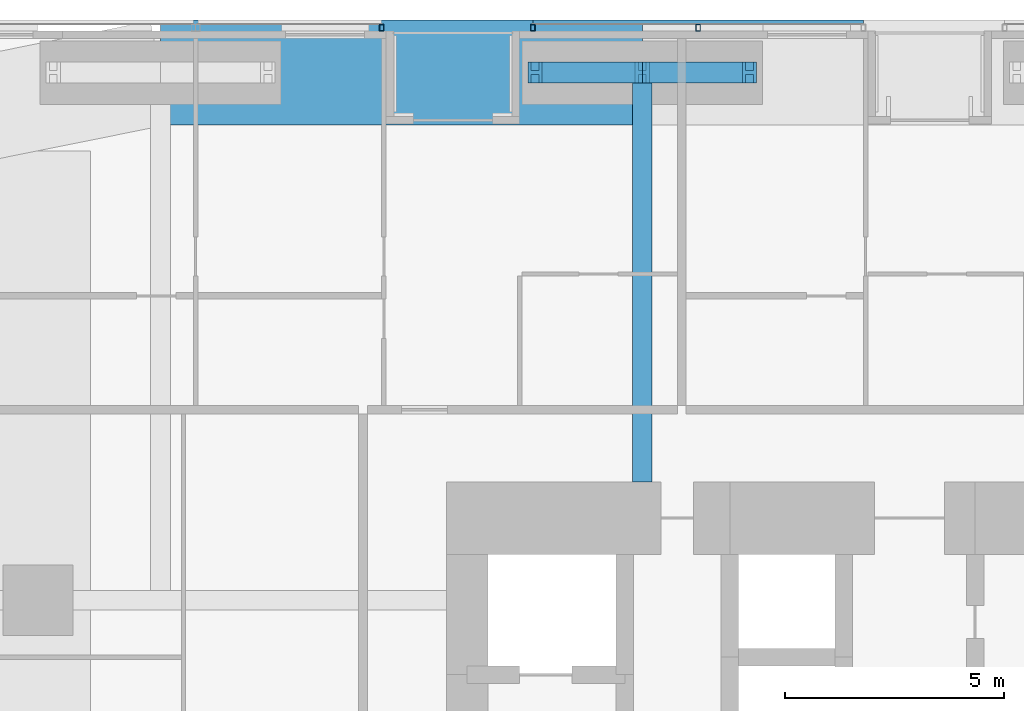
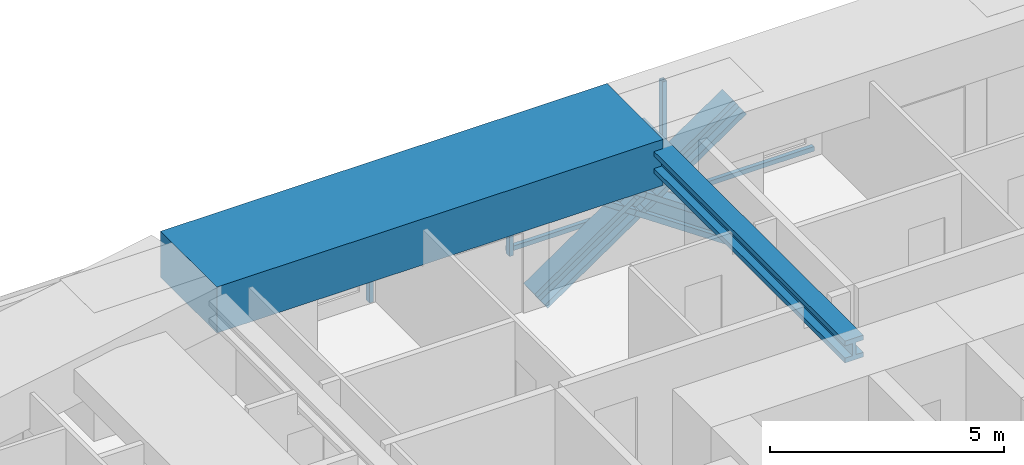
# One storey, part 11 of 22: 8 members, 2 beams, 2 elements without a shape of their own.
"""IFC4 building model written with IfcOpenShell, lengths in metres."""

from ifc_helpers import new_model, si_unit, direction, frame, origin, origin_2d, place, context, subcontext, project, spatial, rectangle, hollow_rectangle, i_section, extrude, material, material_profile, profile_set, type_object, element, aggregate, save


model = new_model("IFC4")

# Units and contexts
model_context = context("Model", 3, precision=1e-05, world=origin(), true_north=direction((0.0, 1.0)))
body_context = subcontext(model_context, "Body", "Model", "MODEL_VIEW")
ifc_project = project(units=[si_unit("LENGTHUNIT", "METRE"), si_unit("AREAUNIT", "SQUARE_METRE"), si_unit("VOLUMEUNIT", "CUBIC_METRE"), si_unit("PLANEANGLEUNIT", "RADIAN"), si_unit("MASSUNIT", "GRAM", prefix="KILO")], contexts=[model_context])

# Site, building, storey
site_placement = place(None, origin())
site = spatial("IfcSite", under=ifc_project, at=site_placement, CompositionType="ELEMENT")
building_placement = place(site_placement, origin())
building = spatial("IfcBuilding", under=site, at=building_placement, Name="Jalousie Tower", CompositionType="ELEMENT")
storey_placement = place(building_placement, frame((0.0, 0.0, 67.89990234375)))
storey = spatial("IfcBuildingStorey", under=building, at=storey_placement, Name="L18", CompositionType="ELEMENT", Elevation=67.89990234375)

# Beam
ifc_material_1 = material(Name="Steel ASTM A992 Grade 50", Category="steel")
ifc_material_profile_1 = material_profile(ifc_material_1, i_section(OverallWidth=0.45458984375, OverallDepth=0.569091796875, WebThickness=0.077880859375, FlangeThickness=0.124755859375, at=origin_2d()), Name="W14X730")
ifc_profile_set_1 = profile_set([ifc_material_profile_1], Name="Steel ASTM A992 Grade 50")
beam_type_1 = type_object("IfcBeamType", Name="LEAN COLLECTOR W14X730", PredefinedType="BEAM", material=ifc_profile_set_1)
beam_1_placement = place(storey_placement, frame((24.0, 37.050048828125, 2.82568359375), z_axis=(0.0, -1.0, 0.0), x_axis=(1.0, 0.0, 0.0)))
element("IfcBeam", 1, at=beam_1_placement, inside=storey, type_object=beam_type_1, Name="Lean collector under L19", PredefinedType="BEAM", context=body_context, shape_type="SweptSolid", body=[
    extrude(i_section(OverallWidth=0.45458984375, OverallDepth=0.569091796875, WebThickness=0.077880859375, FlangeThickness=0.124755859375, at=origin_2d()), origin(), (0.0, 0.0, 1.0), 9.35009765625),
])

# Members
ifc_material_2 = material(Name="Steel ASTM A992 Grade 50", Category="steel")
ifc_material_profile_2 = material_profile(ifc_material_2, i_section(OverallWidth=0.472412109375, OverallDepth=0.5791015625, WebThickness=0.094970703125, FlangeThickness=0.1298828125, at=origin_2d()), Name="W14X808")
ifc_profile_set_2 = profile_set([ifc_material_profile_2], Name="Steel ASTM A992 Grade 50")
member_type_1 = type_object("IfcMemberType", Name="PERIMETER BRACE W14X808", PredefinedType="BRACE", material=ifc_profile_set_2)
for number, where, z_axis, x_axis, name in (
    (2, (21.550048828125, 37.050048828125, -0.599853515625), (0.825500916831, 0.0, 0.564400776321), (0.0, 1.0, 0.0), "Perimeter brace 10 L18 part 1"),
    (3, (24.0, 37.050048828125, 1.0751953125), (0.825539243753, 0.0, 0.564344714713), (0.0, 1.0, 0.0), "Perimeter brace 10 L18 part 2"),
    (4, (26.449951171875, 37.050048828125, -0.599853515625), (-0.825500916831, 0.0, 0.564400776321), (0.0, -1.0, 0.0), "Perimeter brace 10 L18 part 3"),
    (5, (24.0, 37.050048828125, 1.0751953125), (-0.825539243753, 0.0, 0.564344714713), (0.0, -1.0, 0.0), "Perimeter brace 10 L18 part 4"),
):
    element("IfcMember", number, at=place(storey_placement, frame(where, z_axis=z_axis, x_axis=x_axis)), inside=storey, type_object=member_type_1, Name=name, PredefinedType="BRACE", context=body_context, shape_type="SweptSolid", body=[
        extrude(i_section(OverallWidth=0.472412109375, OverallDepth=0.5791015625, WebThickness=0.094970703125, FlangeThickness=0.1298828125, at=origin_2d()), origin(), (0.0, 0.0, 1.0), 2.9677734375),
    ])

# Beam
ifc_material_3 = material(Name="Concrete f'c 40 MPa", Category="concrete")
ifc_material_profile_3 = material_profile(ifc_material_3, rectangle(XDim=2.39990234375, YDim=1.199951171875, at=origin_2d()), Name="RC 2400x1200")
ifc_profile_set_3 = profile_set([ifc_material_profile_3], Name="Concrete f'c 40 MPa")
beam_type_2 = type_object("IfcBeamType", Name="RC BEAM 2400x1200", PredefinedType="BEAM", material=ifc_profile_set_3)
beam_2_placement = place(storey_placement, frame((24.0, 37.050048828125, 2.75), z_axis=(-1.0, 0.0, 0.0), x_axis=(0.0, -1.0, 0.0)))
element("IfcBeam", 6, at=beam_2_placement, inside=storey, type_object=beam_type_2, Name="Edge band beam 10-11 under L19", PredefinedType="BEAM", context=body_context, shape_type="SweptSolid", body=[
    extrude(rectangle(XDim=2.39990234375, YDim=1.199951171875, at=origin_2d()), origin(), (0.0, 0.0, 1.0), 11.0),
])

# Curtain wall, members
ifc_material_4 = material(Name="Perforated aluminium sheet", Category="aluminium")
curtain_wall_type = type_object("IfcCurtainWallType", Name="SOLAR SCREEN SS-1", PredefinedType="USERDEFINED", material=ifc_material_4)
curtain_wall_1_placement = place(storey_placement, origin())
curtain_wall_1 = element("IfcCurtainWall", 7, at=curtain_wall_1_placement, inside=storey, type_object=curtain_wall_type, Name="Solar screen L18", ObjectType="SOLAR SCREEN SS-1", PredefinedType="USERDEFINED")
ifc_material_5 = material(Name="Steel ASTM A500 Grade C", Category="steel")
ifc_material_profile_4 = material_profile(ifc_material_5, hollow_rectangle(XDim=0.1015625, YDim=0.15234375, WallThickness=0.00634765625, at=origin_2d()), Name="HSS6X4X1/4")
ifc_profile_set_4 = profile_set([ifc_material_profile_4], Name="Steel ASTM A500 Grade C")
member_type_2 = type_object("IfcMemberType", Name="SOLAR SCREEN SS-1 MULLION", PredefinedType="MULLION", material=ifc_profile_set_4)
member_1_placement = place(storey_placement, frame((25.27490234375, 38.0712890625, -0.119873046875), z_axis=(0.0, 0.0, 1.0), x_axis=(-1.0, 0.0, 0.0)))
member_1 = element("IfcMember", 8, at=member_1_placement, type_object=member_type_2, Name="SS1 post 2", PredefinedType="MULLION", context=body_context, shape_type="SweptSolid", body=[
    extrude(hollow_rectangle(XDim=0.1015625, YDim=0.15234375, WallThickness=0.00634765625, at=origin_2d()), origin(), (0.0, 0.0, 1.0), 3.22998046875),
])
member_2_placement = place(storey_placement, frame((21.5, 38.0712890625, -0.119873046875), z_axis=(0.0, 0.0, 1.0), x_axis=(-1.0, 0.0, 0.0)))
member_2 = element("IfcMember", 9, at=member_2_placement, type_object=member_type_2, Name="SS1 post 3", PredefinedType="MULLION", context=body_context, shape_type="SweptSolid", body=[
    extrude(hollow_rectangle(XDim=0.1015625, YDim=0.15234375, WallThickness=0.00634765625, at=origin_2d()), origin(), (0.0, 0.0, 1.0), 3.22998046875),
])

# Curtain wall, member
curtain_wall_2_placement = place(storey_placement, origin())
curtain_wall_2 = element("IfcCurtainWall", 10, at=curtain_wall_2_placement, inside=storey, type_object=curtain_wall_type, Name="Solar screen L18", ObjectType="SOLAR SCREEN SS-1", PredefinedType="USERDEFINED")
member_3_placement = place(storey_placement, frame((18.050048828125, 38.0712890625, -0.119873046875), z_axis=(0.0, 0.0, 1.0), x_axis=(-1.0, 0.0, 0.0)))
member_3 = element("IfcMember", 11, at=member_3_placement, type_object=member_type_2, Name="SS1 post 1", PredefinedType="MULLION", context=body_context, shape_type="SweptSolid", body=[
    extrude(hollow_rectangle(XDim=0.1015625, YDim=0.15234375, WallThickness=0.00634765625, at=origin_2d()), origin(), (0.0, 0.0, 1.0), 3.22998046875),
])
aggregate(curtain_wall_2, [member_3])

# Member
ifc_material_6 = material(Name="Extruded aluminium screen rail", Category="aluminium")
ifc_material_profile_5 = material_profile(ifc_material_6, rectangle(XDim=0.1015625, YDim=0.1201171875, at=origin_2d()), Name="RAIL 102x120")
ifc_profile_set_5 = profile_set([ifc_material_profile_5], Name="Extruded aluminium screen rail")
member_type_3 = type_object("IfcMemberType", Name="SOLAR SCREEN SS-1 TRANSOM", PredefinedType="USERDEFINED", material=ifc_profile_set_5)
member_4_placement = place(storey_placement, frame((29.050048828125, 38.1982421875, -0.059814453125), z_axis=(-1.0, 0.0, 0.0), x_axis=(0.0, -1.0, 0.0)))
member_4 = element("IfcMember", 12, at=member_4_placement, type_object=member_type_3, Name="SS1 rail", ObjectType="TRANSOM", PredefinedType="USERDEFINED", context=body_context, shape_type="SweptSolid", body=[
    extrude(rectangle(XDim=0.1015625, YDim=0.1201171875, at=origin_2d()), origin(), (0.0, 0.0, 1.0), 7.550048828125),
])

aggregate(curtain_wall_1, [member_1, member_2, member_4])

save(model, "model.ifc")
